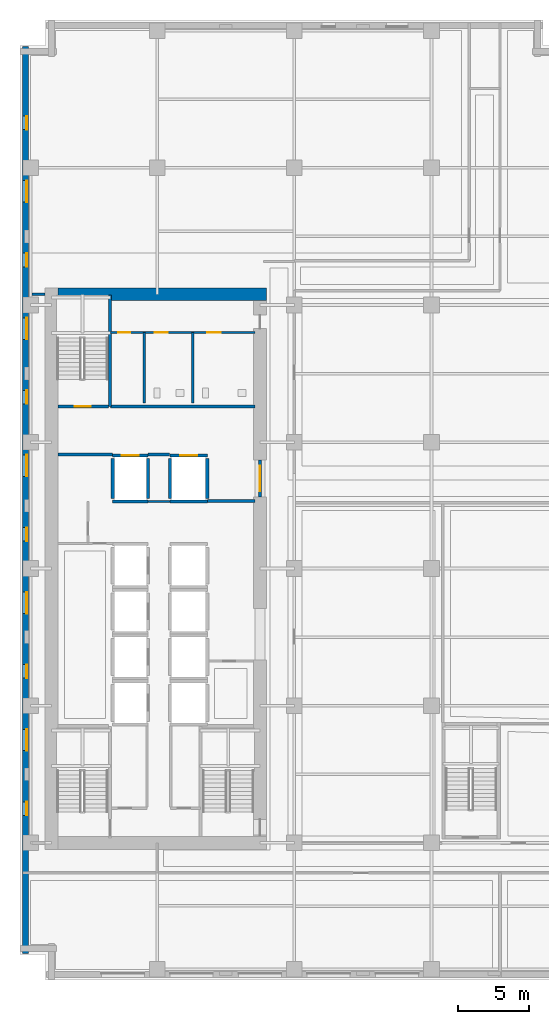
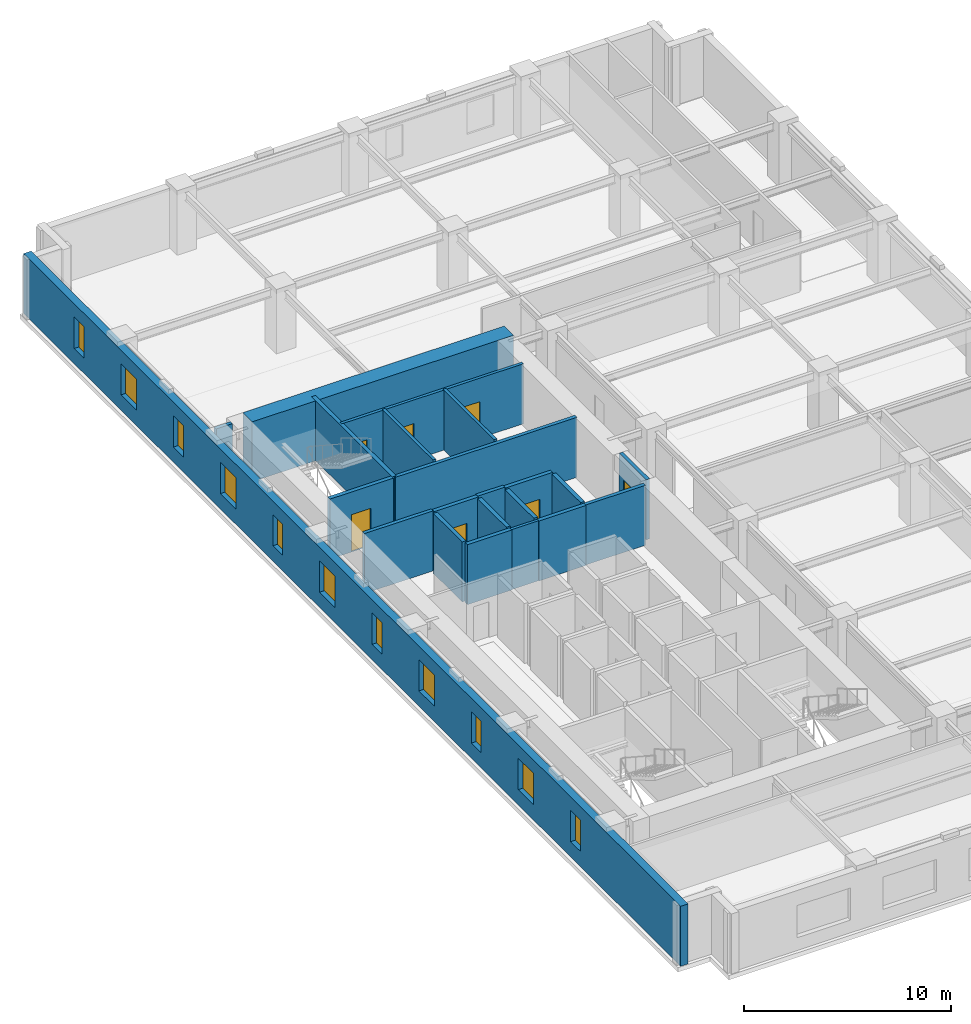
# One storey, part 6 of 13: 22 walls, 11 windows, 7 doors, 18 openings.
"""IFC4 building model written with IfcOpenShell, lengths in metres."""

from ifc_helpers import new_model, si_unit, direction, frame, frame_2d, origin, place, context, subcontext, project, spatial, rectangle, extrude, material, layer, layer_set, type_object, element, fill, save


model = new_model("IFC4")

# Units and contexts
model_context = context("Model", 3, precision=1e-05, world=origin(), true_north=direction((0.0, 1.0)))
body_context = subcontext(model_context, "Body", "Model", "MODEL_VIEW")
ifc_project = project(units=[si_unit("LENGTHUNIT", "METRE"), si_unit("AREAUNIT", "SQUARE_METRE"), si_unit("VOLUMEUNIT", "CUBIC_METRE"), si_unit("PLANEANGLEUNIT", "RADIAN"), si_unit("MASSUNIT", "GRAM", prefix="KILO")], contexts=[model_context])

# Site, building, storey
site_placement = place(None, origin())
site = spatial("IfcSite", under=ifc_project, at=site_placement, CompositionType="ELEMENT")
building_placement = place(site_placement, origin())
building = spatial("IfcBuilding", under=site, at=building_placement, Name="Norrvale University Quadrangle", CompositionType="ELEMENT")
storey_placement = place(building_placement, frame((0.0, 0.0, 85.0)))
storey = spatial("IfcBuildingStorey", under=building, at=storey_placement, Name="L21", CompositionType="ELEMENT", Elevation=85.0)

# Wall, openings, windows
ifc_material_1 = material(Name="Buff Norman Clay Brick Masonry", Category="masonry")
ifc_layer_1 = layer(ifc_material_1, 0.419921875, Name="Buff Norman Clay Brick Masonry")
ifc_layer_set_1 = layer_set([ifc_layer_1], Name="Buff Norman Clay Brick Masonry")
wall_type_1 = type_object("IfcWallType", Name="Wall Buff Brick 420", PredefinedType="SOLIDWALL", material=ifc_layer_set_1)
wall_1_placement = place(storey_placement, frame((0.389892578125, 65.360107421875, 0.0), z_axis=(0.0, 0.0, 1.0), x_axis=(0.0, -1.0, 0.0)))
wall_1 = element("IfcWall", 1, at=wall_1_placement, inside=storey, type_object=wall_type_1, Name="Exterior Brick Facade Wall L21-14.1", PredefinedType="SOLIDWALL", context=body_context, shape_type="SweptSolid", body=[
    extrude(rectangle(XDim=63.52001953125, YDim=0.419921875, at=frame_2d((31.760009765625, 0.0))), origin(), (0.0, 0.0, 1.0), 3.5400390625),
])
opening_1_placement = place(wall_1_placement, frame((4.885009765625, 0.0, 0.89990234375)))
opening_1 = element("IfcOpeningElement", 2, at=opening_1_placement, cuts=wall_1, Name="Opening W04", PredefinedType="OPENING", context=body_context, shape_type="SweptSolid", body=[
    extrude(rectangle(XDim=0.949951171875, YDim=1.85009765625, at=frame_2d((0.47509765625, 0.925048828125))), frame((0.0, 0.221923828125, 0.0), z_axis=(0.0, -1.0, 0.0), x_axis=(1.0, 0.0, 0.0)), (0.0, 0.0, 1.0), 0.44384765625),
])
opening_2_placement = place(wall_1_placement, frame((9.409912109375, 0.0, 0.89990234375)))
opening_2 = element("IfcOpeningElement", 3, at=opening_2_placement, cuts=wall_1, Name="Opening W03", PredefinedType="OPENING", context=body_context, shape_type="SweptSolid", body=[
    extrude(rectangle(XDim=1.5, YDim=1.85009765625, at=frame_2d((0.75, 0.925048828125))), frame((0.0, 0.221923828125, 0.0), z_axis=(0.0, -1.0, 0.0), x_axis=(1.0, 0.0, 0.0)), (0.0, 0.0, 1.0), 0.44384765625),
])
opening_3_placement = place(wall_1_placement, frame((14.485107421875, 0.0, 0.89990234375)))
opening_3 = element("IfcOpeningElement", 4, at=opening_3_placement, cuts=wall_1, Name="Opening W04", PredefinedType="OPENING", context=body_context, shape_type="SweptSolid", body=[
    extrude(rectangle(XDim=0.949951171875, YDim=1.85009765625, at=frame_2d((0.47509765625, 0.925048828125))), frame((0.0, 0.221923828125, 0.0), z_axis=(0.0, -1.0, 0.0), x_axis=(1.0, 0.0, 0.0)), (0.0, 0.0, 1.0), 0.44384765625),
])
opening_4_placement = place(wall_1_placement, frame((19.010009765625, 0.0, 0.89990234375)))
opening_4 = element("IfcOpeningElement", 5, at=opening_4_placement, cuts=wall_1, Name="Opening W03", PredefinedType="OPENING", context=body_context, shape_type="SweptSolid", body=[
    extrude(rectangle(XDim=1.5, YDim=1.85009765625, at=frame_2d((0.75, 0.925048828125))), frame((0.0, 0.221923828125, 0.0), z_axis=(0.0, -1.0, 0.0), x_axis=(1.0, 0.0, 0.0)), (0.0, 0.0, 1.0), 0.44384765625),
])
opening_5_placement = place(wall_1_placement, frame((24.0849609375, 0.0, 0.89990234375)))
opening_5 = element("IfcOpeningElement", 6, at=opening_5_placement, cuts=wall_1, Name="Opening W04", PredefinedType="OPENING", context=body_context, shape_type="SweptSolid", body=[
    extrude(rectangle(XDim=0.949951171875, YDim=1.85009765625, at=frame_2d((0.47509765625, 0.925048828125))), frame((0.0, 0.221923828125, 0.0), z_axis=(0.0, -1.0, 0.0), x_axis=(1.0, 0.0, 0.0)), (0.0, 0.0, 1.0), 0.44384765625),
])
opening_6_placement = place(wall_1_placement, frame((28.610107421875, 0.0, 0.89990234375)))
opening_6 = element("IfcOpeningElement", 7, at=opening_6_placement, cuts=wall_1, Name="Opening W03", PredefinedType="OPENING", context=body_context, shape_type="SweptSolid", body=[
    extrude(rectangle(XDim=1.5, YDim=1.85009765625, at=frame_2d((0.75, 0.925048828125))), frame((0.0, 0.221923828125, 0.0), z_axis=(0.0, -1.0, 0.0), x_axis=(1.0, 0.0, 0.0)), (0.0, 0.0, 1.0), 0.44384765625),
])
opening_7_placement = place(wall_1_placement, frame((33.68505859375, 0.0, 0.89990234375)))
opening_7 = element("IfcOpeningElement", 8, at=opening_7_placement, cuts=wall_1, Name="Opening W04", PredefinedType="OPENING", context=body_context, shape_type="SweptSolid", body=[
    extrude(rectangle(XDim=0.949951171875, YDim=1.85009765625, at=frame_2d((0.47509765625, 0.925048828125))), frame((0.0, 0.221923828125, 0.0), z_axis=(0.0, -1.0, 0.0), x_axis=(1.0, 0.0, 0.0)), (0.0, 0.0, 1.0), 0.44384765625),
])
opening_8_placement = place(wall_1_placement, frame((38.2099609375, 0.0, 0.89990234375)))
opening_8 = element("IfcOpeningElement", 9, at=opening_8_placement, cuts=wall_1, Name="Opening W03", PredefinedType="OPENING", context=body_context, shape_type="SweptSolid", body=[
    extrude(rectangle(XDim=1.5, YDim=1.85009765625, at=frame_2d((0.75, 0.925048828125))), frame((0.0, 0.221923828125, 0.0), z_axis=(0.0, -1.0, 0.0), x_axis=(1.0, 0.0, 0.0)), (0.0, 0.0, 1.0), 0.44384765625),
])
opening_9_placement = place(wall_1_placement, frame((43.284912109375, 0.0, 0.89990234375)))
opening_9 = element("IfcOpeningElement", 10, at=opening_9_placement, cuts=wall_1, Name="Opening W04", PredefinedType="OPENING", context=body_context, shape_type="SweptSolid", body=[
    extrude(rectangle(XDim=0.949951171875, YDim=1.85009765625, at=frame_2d((0.47509765625, 0.925048828125))), frame((0.0, 0.221923828125, 0.0), z_axis=(0.0, -1.0, 0.0), x_axis=(1.0, 0.0, 0.0)), (0.0, 0.0, 1.0), 0.44384765625),
])
opening_10_placement = place(wall_1_placement, frame((47.81005859375, 0.0, 0.89990234375)))
opening_10 = element("IfcOpeningElement", 11, at=opening_10_placement, cuts=wall_1, Name="Opening W03", PredefinedType="OPENING", context=body_context, shape_type="SweptSolid", body=[
    extrude(rectangle(XDim=1.5, YDim=1.85009765625, at=frame_2d((0.75, 0.925048828125))), frame((0.0, 0.221923828125, 0.0), z_axis=(0.0, -1.0, 0.0), x_axis=(1.0, 0.0, 0.0)), (0.0, 0.0, 1.0), 0.44384765625),
])
opening_11_placement = place(wall_1_placement, frame((52.885009765625, 0.0, 0.89990234375)))
opening_11 = element("IfcOpeningElement", 12, at=opening_11_placement, cuts=wall_1, Name="Opening W04", PredefinedType="OPENING", context=body_context, shape_type="SweptSolid", body=[
    extrude(rectangle(XDim=0.949951171875, YDim=1.85009765625, at=frame_2d((0.47509765625, 0.925048828125))), frame((0.0, 0.221923828125, 0.0), z_axis=(0.0, -1.0, 0.0), x_axis=(1.0, 0.0, 0.0)), (0.0, 0.0, 1.0), 0.44384765625),
])
ifc_material_2 = material(Name="Triple Low-E Argon Glazing", Category="glass")
window_type_1 = type_object("IfcWindowType", Name="Window Narrow Pier 950x2300", PartitioningType="SINGLE_PANEL", PredefinedType="WINDOW", material=ifc_material_2)
window_1_placement = place(opening_1_placement, origin())
window_1 = element("IfcWindow", 13, at=window_1_placement, inside=storey, type_object=window_type_1, Name="Window Narrow Pier 950x2300 WIN-L21-E14-1-01", OverallHeight=1.85009765625, OverallWidth=0.949951171875, PartitioningType="SINGLE_PANEL", PredefinedType="WINDOW", context=body_context, shape_type="SweptSolid", body=[
    extrude(rectangle(XDim=0.949951171875, YDim=1.85009765625, at=frame_2d((0.47509765625, 0.925048828125))), frame((0.0, 0.110107421875, 0.0), z_axis=(0.0, -1.0, 0.0), x_axis=(1.0, 0.0, 0.0)), (0.0, 0.0, 1.0), 0.06005859375),
])
fill(opening_1, window_1)
window_2_placement = place(opening_3_placement, origin())
window_2 = element("IfcWindow", 14, at=window_2_placement, inside=storey, type_object=window_type_1, Name="Window Narrow Pier 950x2300 WIN-L21-E14-1-03", OverallHeight=1.85009765625, OverallWidth=0.949951171875, PartitioningType="SINGLE_PANEL", PredefinedType="WINDOW", context=body_context, shape_type="SweptSolid", body=[
    extrude(rectangle(XDim=0.949951171875, YDim=1.85009765625, at=frame_2d((0.47509765625, 0.925048828125))), frame((0.0, 0.110107421875, 0.0), z_axis=(0.0, -1.0, 0.0), x_axis=(1.0, 0.0, 0.0)), (0.0, 0.0, 1.0), 0.06005859375),
])
fill(opening_3, window_2)
window_3_placement = place(opening_5_placement, origin())
window_3 = element("IfcWindow", 15, at=window_3_placement, inside=storey, type_object=window_type_1, Name="Window Narrow Pier 950x2300 WIN-L21-E14-1-05", OverallHeight=1.85009765625, OverallWidth=0.949951171875, PartitioningType="SINGLE_PANEL", PredefinedType="WINDOW", context=body_context, shape_type="SweptSolid", body=[
    extrude(rectangle(XDim=0.949951171875, YDim=1.85009765625, at=frame_2d((0.47509765625, 0.925048828125))), frame((0.0, 0.110107421875, 0.0), z_axis=(0.0, -1.0, 0.0), x_axis=(1.0, 0.0, 0.0)), (0.0, 0.0, 1.0), 0.06005859375),
])
fill(opening_5, window_3)
window_4_placement = place(opening_7_placement, origin())
window_4 = element("IfcWindow", 16, at=window_4_placement, inside=storey, type_object=window_type_1, Name="Window Narrow Pier 950x2300 WIN-L21-E14-1-07", OverallHeight=1.85009765625, OverallWidth=0.949951171875, PartitioningType="SINGLE_PANEL", PredefinedType="WINDOW", context=body_context, shape_type="SweptSolid", body=[
    extrude(rectangle(XDim=0.949951171875, YDim=1.85009765625, at=frame_2d((0.47509765625, 0.925048828125))), frame((0.0, 0.110107421875, 0.0), z_axis=(0.0, -1.0, 0.0), x_axis=(1.0, 0.0, 0.0)), (0.0, 0.0, 1.0), 0.06005859375),
])
fill(opening_7, window_4)
window_5_placement = place(opening_9_placement, origin())
window_5 = element("IfcWindow", 17, at=window_5_placement, inside=storey, type_object=window_type_1, Name="Window Narrow Pier 950x2300 WIN-L21-E14-1-09", OverallHeight=1.85009765625, OverallWidth=0.949951171875, PartitioningType="SINGLE_PANEL", PredefinedType="WINDOW", context=body_context, shape_type="SweptSolid", body=[
    extrude(rectangle(XDim=0.949951171875, YDim=1.85009765625, at=frame_2d((0.47509765625, 0.925048828125))), frame((0.0, 0.110107421875, 0.0), z_axis=(0.0, -1.0, 0.0), x_axis=(1.0, 0.0, 0.0)), (0.0, 0.0, 1.0), 0.06005859375),
])
fill(opening_9, window_5)
window_6_placement = place(opening_11_placement, origin())
window_6 = element("IfcWindow", 18, at=window_6_placement, inside=storey, type_object=window_type_1, Name="Window Narrow Pier 950x2300 WIN-L21-E14-1-11", OverallHeight=1.85009765625, OverallWidth=0.949951171875, PartitioningType="SINGLE_PANEL", PredefinedType="WINDOW", context=body_context, shape_type="SweptSolid", body=[
    extrude(rectangle(XDim=0.949951171875, YDim=1.85009765625, at=frame_2d((0.47509765625, 0.925048828125))), frame((0.0, 0.110107421875, 0.0), z_axis=(0.0, -1.0, 0.0), x_axis=(1.0, 0.0, 0.0)), (0.0, 0.0, 1.0), 0.06005859375),
])
fill(opening_11, window_6)
window_type_2 = type_object("IfcWindowType", Name="Window Studio 1500x2300", PartitioningType="DOUBLE_PANEL_VERTICAL", PredefinedType="WINDOW", material=ifc_material_2)
window_7_placement = place(opening_2_placement, origin())
window_7 = element("IfcWindow", 19, at=window_7_placement, inside=storey, type_object=window_type_2, Name="Window Studio 1500x2300 WIN-L21-E14-1-02", OverallHeight=1.85009765625, OverallWidth=1.5, PartitioningType="DOUBLE_PANEL_VERTICAL", PredefinedType="WINDOW", context=body_context, shape_type="SweptSolid", body=[
    extrude(rectangle(XDim=1.5, YDim=1.85009765625, at=frame_2d((0.75, 0.925048828125))), frame((0.0, 0.110107421875, 0.0), z_axis=(0.0, -1.0, 0.0), x_axis=(1.0, 0.0, 0.0)), (0.0, 0.0, 1.0), 0.06005859375),
])
fill(opening_2, window_7)
window_8_placement = place(opening_4_placement, origin())
window_8 = element("IfcWindow", 20, at=window_8_placement, inside=storey, type_object=window_type_2, Name="Window Studio 1500x2300 WIN-L21-E14-1-04", OverallHeight=1.85009765625, OverallWidth=1.5, PartitioningType="DOUBLE_PANEL_VERTICAL", PredefinedType="WINDOW", context=body_context, shape_type="SweptSolid", body=[
    extrude(rectangle(XDim=1.5, YDim=1.85009765625, at=frame_2d((0.75, 0.925048828125))), frame((0.0, 0.110107421875, 0.0), z_axis=(0.0, -1.0, 0.0), x_axis=(1.0, 0.0, 0.0)), (0.0, 0.0, 1.0), 0.06005859375),
])
fill(opening_4, window_8)
window_9_placement = place(opening_6_placement, origin())
window_9 = element("IfcWindow", 21, at=window_9_placement, inside=storey, type_object=window_type_2, Name="Window Studio 1500x2300 WIN-L21-E14-1-06", OverallHeight=1.85009765625, OverallWidth=1.5, PartitioningType="DOUBLE_PANEL_VERTICAL", PredefinedType="WINDOW", context=body_context, shape_type="SweptSolid", body=[
    extrude(rectangle(XDim=1.5, YDim=1.85009765625, at=frame_2d((0.75, 0.925048828125))), frame((0.0, 0.110107421875, 0.0), z_axis=(0.0, -1.0, 0.0), x_axis=(1.0, 0.0, 0.0)), (0.0, 0.0, 1.0), 0.06005859375),
])
fill(opening_6, window_9)
window_10_placement = place(opening_8_placement, origin())
window_10 = element("IfcWindow", 22, at=window_10_placement, inside=storey, type_object=window_type_2, Name="Window Studio 1500x2300 WIN-L21-E14-1-08", OverallHeight=1.85009765625, OverallWidth=1.5, PartitioningType="DOUBLE_PANEL_VERTICAL", PredefinedType="WINDOW", context=body_context, shape_type="SweptSolid", body=[
    extrude(rectangle(XDim=1.5, YDim=1.85009765625, at=frame_2d((0.75, 0.925048828125))), frame((0.0, 0.110107421875, 0.0), z_axis=(0.0, -1.0, 0.0), x_axis=(1.0, 0.0, 0.0)), (0.0, 0.0, 1.0), 0.06005859375),
])
fill(opening_8, window_10)
window_11_placement = place(opening_10_placement, origin())
window_11 = element("IfcWindow", 23, at=window_11_placement, inside=storey, type_object=window_type_2, Name="Window Studio 1500x2300 WIN-L21-E14-1-10", OverallHeight=1.85009765625, OverallWidth=1.5, PartitioningType="DOUBLE_PANEL_VERTICAL", PredefinedType="WINDOW", context=body_context, shape_type="SweptSolid", body=[
    extrude(rectangle(XDim=1.5, YDim=1.85009765625, at=frame_2d((0.75, 0.925048828125))), frame((0.0, 0.110107421875, 0.0), z_axis=(0.0, -1.0, 0.0), x_axis=(1.0, 0.0, 0.0)), (0.0, 0.0, 1.0), 0.06005859375),
])
fill(opening_10, window_11)

# Walls
ifc_material_3 = material(Name="Concrete C80/95", Category="concrete")
ifc_layer_2 = layer(ifc_material_3, 0.89990234375, Name="Concrete C80/95")
ifc_layer_set_2 = layer_set([ifc_layer_2], Name="Concrete C80/95")
wall_type_2 = type_object("IfcWallType", Name="Wall Core 900", PredefinedType="SHEAR", material=ifc_layer_set_2)
wall_2_placement = place(storey_placement, frame((2.64990234375, 48.0, 0.0), z_axis=(0.0, 0.0, 1.0), x_axis=(1.0, 0.0, 0.0)))
element("IfcWall", 24, at=wall_2_placement, inside=storey, type_object=wall_type_2, Name="Tower Core Shear Wall L21-N", PredefinedType="SHEAR", context=body_context, shape_type="SweptSolid", body=[
    extrude(rectangle(XDim=14.60009765625, YDim=0.89990234375, at=frame_2d((7.300048828125, 0.0))), origin(), (0.0, 0.0, 1.0), 3.5400390625),
])
ifc_material_4 = material(Name="Fire-Rated Gypsum Stud Partition")
ifc_layer_3 = layer(ifc_material_4, 0.14990234375, Name="Fire-Rated Gypsum Stud Partition")
ifc_layer_set_3 = layer_set([ifc_layer_3], Name="Fire-Rated Gypsum Stud Partition")
wall_type_3 = type_object("IfcWallType", Name="Wall Gypsum Corridor 150", PredefinedType="PARTITIONING", material=ifc_layer_set_3)
wall_3_placement = place(storey_placement, frame((8.965087890625, 33.489990234375, 0.0), z_axis=(0.0, 0.0, 1.0), x_axis=(1.0, 0.0, 0.0)))
element("IfcWall", 25, at=wall_3_placement, inside=storey, type_object=wall_type_3, Name="Interior Partition WL-L21-LL3", PredefinedType="PARTITIONING", context=body_context, shape_type="SweptSolid", body=[
    extrude(rectangle(XDim=1.52001953125, YDim=0.14990234375, at=frame_2d((0.760009765625, 0.0))), origin(), (0.0, 0.0, 1.0), 3.5400390625),
])

# Wall, openings, doors
ifc_material_5 = material(Name="Sanitary Chase Gypsum Partition")
ifc_layer_4 = layer(ifc_material_5, 0.1650390625, Name="Sanitary Chase Gypsum Partition")
ifc_layer_set_4 = layer_set([ifc_layer_4], Name="Sanitary Chase Gypsum Partition")
wall_type_4 = type_object("IfcWallType", Name="Wall Gypsum Sanitary 165", PredefinedType="PLUMBINGWALL", material=ifc_layer_set_4)
wall_4_placement = place(storey_placement, frame((6.320068359375, 45.320068359375, 0.0), z_axis=(0.0, 0.0, 1.0), x_axis=(1.0, 0.0, 0.0)))
wall_4 = element("IfcWall", 26, at=wall_4_placement, inside=storey, type_object=wall_type_4, Name="Interior Partition WL-L21-WCN", PredefinedType="PLUMBINGWALL", context=body_context, shape_type="SweptSolid", body=[
    extrude(rectangle(XDim=10.1298828125, YDim=0.1650390625, at=frame_2d((5.06494140625, 0.0))), origin(), (0.0, 0.0, 1.0), 3.5400390625),
])
opening_12_placement = place(wall_4_placement, frame((0.550048828125, 0.0, 0.0)))
opening_12 = element("IfcOpeningElement", 27, at=opening_12_placement, cuts=wall_4, Name="Opening D10", PredefinedType="OPENING", context=body_context, shape_type="SweptSolid", body=[
    extrude(rectangle(XDim=0.85009765625, YDim=2.10009765625, at=frame_2d((0.425048828125, 1.050048828125))), frame((0.0, 0.094482421875, 0.0), z_axis=(0.0, -1.0, 0.0), x_axis=(1.0, 0.0, 0.0)), (0.0, 0.0, 1.0), 0.18896484375),
])
opening_13_placement = place(wall_4_placement, frame((3.10009765625, 0.0, 0.0)))
opening_13 = element("IfcOpeningElement", 28, at=opening_13_placement, cuts=wall_4, Name="Opening D08", PredefinedType="OPENING", context=body_context, shape_type="SweptSolid", body=[
    extrude(rectangle(XDim=0.919921875, YDim=2.14990234375, at=frame_2d((0.4599609375, 1.074951171875))), frame((0.0, 0.094482421875, 0.0), z_axis=(0.0, -1.0, 0.0), x_axis=(1.0, 0.0, 0.0)), (0.0, 0.0, 1.0), 0.18896484375),
])
opening_14_placement = place(wall_4_placement, frame((6.800048828125, 0.0, 0.0)))
opening_14 = element("IfcOpeningElement", 29, at=opening_14_placement, cuts=wall_4, Name="Opening D08", PredefinedType="OPENING", context=body_context, shape_type="SweptSolid", body=[
    extrude(rectangle(XDim=0.919921875, YDim=2.14990234375, at=frame_2d((0.4599609375, 1.074951171875))), frame((0.0, 0.094482421875, 0.0), z_axis=(0.0, -1.0, 0.0), x_axis=(1.0, 0.0, 0.0)), (0.0, 0.0, 1.0), 0.18896484375),
])
ifc_material_6 = material(Name="Hollow Steel 350W Riser Fire Door", Category="steel")
door_type_1 = type_object("IfcDoorType", Name="Door Riser 850x2100", OperationType="NOTDEFINED", PredefinedType="DOOR", material=ifc_material_6)
door_1_placement = place(opening_12_placement, origin())
door_1 = element("IfcDoor", 30, at=door_1_placement, inside=storey, type_object=door_type_1, Name="Door Riser 850x2100 DR-L21-WC1", OperationType="SINGLE_SWING_LEFT", OverallHeight=2.10009765625, OverallWidth=0.85009765625, PredefinedType="DOOR", context=body_context, shape_type="SweptSolid", body=[
    extrude(rectangle(XDim=0.85009765625, YDim=2.10009765625, at=frame_2d((0.425048828125, 1.050048828125))), frame((0.0, 0.02490234375, 0.0), z_axis=(0.0, -1.0, 0.0), x_axis=(1.0, 0.0, 0.0)), (0.0, 0.0, 1.0), 0.050048828125),
])
fill(opening_12, door_1)
ifc_material_7 = material(Name="Laminate Washroom Door", Category="wood")
door_type_2 = type_object("IfcDoorType", Name="Door Washroom 920x2150", OperationType="NOTDEFINED", PredefinedType="DOOR", material=ifc_material_7)
door_2_placement = place(opening_13_placement, origin())
door_2 = element("IfcDoor", 31, at=door_2_placement, inside=storey, type_object=door_type_2, Name="Door Washroom 920x2150 DR-L21-WC2", OperationType="SINGLE_SWING_RIGHT", OverallHeight=2.14990234375, OverallWidth=0.919921875, PredefinedType="DOOR", context=body_context, shape_type="SweptSolid", body=[
    extrude(rectangle(XDim=0.919921875, YDim=2.14990234375, at=frame_2d((0.4599609375, 1.074951171875))), frame((0.0, 0.02490234375, 0.0), z_axis=(0.0, -1.0, 0.0), x_axis=(1.0, 0.0, 0.0)), (0.0, 0.0, 1.0), 0.050048828125),
])
fill(opening_13, door_2)
door_3_placement = place(opening_14_placement, origin())
door_3 = element("IfcDoor", 32, at=door_3_placement, inside=storey, type_object=door_type_2, Name="Door Washroom 920x2150 DR-L21-WC3", OperationType="SINGLE_SWING_LEFT", OverallHeight=2.14990234375, OverallWidth=0.919921875, PredefinedType="DOOR", context=body_context, shape_type="SweptSolid", body=[
    extrude(rectangle(XDim=0.919921875, YDim=2.14990234375, at=frame_2d((0.4599609375, 1.074951171875))), frame((0.0, 0.02490234375, 0.0), z_axis=(0.0, -1.0, 0.0), x_axis=(1.0, 0.0, 0.0)), (0.0, 0.0, 1.0), 0.050048828125),
])
fill(opening_14, door_3)

# Walls
for number, where, z_axis, x_axis, name in (
    (33, (8.699951171875, 40.39990234375, 0.0), (0.0, 0.0, 1.0), (0.0, 1.0, 0.0), "Interior Partition WL-L21-WCM1"),
    (34, (12.10009765625, 40.39990234375, 0.0), (0.0, 0.0, 1.0), (0.0, 1.0, 0.0), "Interior Partition WL-L21-WCM2"),
):
    element("IfcWall", number, at=place(storey_placement, frame(where, z_axis=z_axis, x_axis=x_axis)), inside=storey, type_object=wall_type_4, Name=name, PredefinedType="PLUMBINGWALL", context=body_context, shape_type="SweptSolid", body=[
        extrude(rectangle(XDim=4.920166015625, YDim=0.1650390625, at=frame_2d((2.4599609375, 0.0))), origin(), (0.0, 0.0, 1.0), 3.5400390625),
    ])
ifc_material_8 = material(Name="Concrete Blockwork 20 MPa Rated Wall", Category="masonry")
ifc_layer_5 = layer(ifc_material_8, 0.199951171875, Name="Concrete Blockwork 20 MPa Rated Wall")
ifc_layer_set_5 = layer_set([ifc_layer_5], Name="Concrete Blockwork 20 MPa Rated Wall")
wall_type_5 = type_object("IfcWallType", Name="Wall Lobby 200", PredefinedType="SOLIDWALL", material=ifc_layer_set_5)
wall_5_placement = place(storey_placement, frame((2.64990234375, 36.780029296875, 0.0), z_axis=(0.0, 0.0, 1.0), x_axis=(1.0, 0.0, 0.0)))
element("IfcWall", 35, at=wall_5_placement, inside=storey, type_object=wall_type_5, Name="Interior Partition WL-L21-FF1", PredefinedType="SOLIDWALL", context=body_context, shape_type="SweptSolid", body=[
    extrude(rectangle(XDim=3.830078125, YDim=0.199951171875, at=frame_2d((1.9150390625, 0.0))), origin(), (0.0, 0.0, 1.0), 3.5400390625),
])
wall_6_placement = place(storey_placement, frame((8.969970703125, 36.780029296875, 0.0), z_axis=(0.0, 0.0, 1.0), x_axis=(1.0, 0.0, 0.0)))
element("IfcWall", 36, at=wall_6_placement, inside=storey, type_object=wall_type_5, Name="Interior Partition WL-L21-FF2", PredefinedType="SOLIDWALL", context=body_context, shape_type="SweptSolid", body=[
    extrude(rectangle(XDim=1.510009765625, YDim=0.199951171875, at=frame_2d((0.7548828125, 0.0))), origin(), (0.0, 0.0, 1.0), 3.5400390625),
])
wall_7_placement = place(storey_placement, frame((13.1201171875, 33.52001953125, 0.0), z_axis=(0.0, 0.0, 1.0), x_axis=(1.0, 0.0, 0.0)))
element("IfcWall", 37, at=wall_7_placement, inside=storey, type_object=wall_type_5, Name="Interior Partition WL-L21-FF3", PredefinedType="SOLIDWALL", context=body_context, shape_type="SweptSolid", body=[
    extrude(rectangle(XDim=3.329833984375, YDim=0.199951171875, at=frame_2d((1.6650390625, 0.0))), origin(), (0.0, 0.0, 1.0), 3.5400390625),
])
wall_8_placement = place(storey_placement, frame((6.320068359375, 40.139892578125, 0.0), z_axis=(0.0, 0.0, 1.0), x_axis=(1.0, 0.0, 0.0)))
element("IfcWall", 38, at=wall_8_placement, inside=storey, type_object=wall_type_5, Name="Interior Partition WL-L21-FF4", PredefinedType="SOLIDWALL", context=body_context, shape_type="SweptSolid", body=[
    extrude(rectangle(XDim=10.1298828125, YDim=0.199951171875, at=frame_2d((5.06494140625, 0.0))), origin(), (0.0, 0.0, 1.0), 3.5400390625),
])

# Wall, opening, door
wall_9_placement = place(storey_placement, frame((16.800048828125, 33.800048828125, 0.0), z_axis=(0.0, 0.0, 1.0), x_axis=(0.0, 1.0, 0.0)))
wall_9 = element("IfcWall", 39, at=wall_9_placement, inside=storey, type_object=wall_type_5, Name="Interior Partition WL-L21-FFP", PredefinedType="SOLIDWALL", context=body_context, shape_type="SweptSolid", body=[
    extrude(rectangle(XDim=2.599853515625, YDim=0.199951171875, at=frame_2d((1.2998046875, 0.0))), origin(), (0.0, 0.0, 1.0), 3.5400390625),
])
opening_15_placement = place(wall_9_placement, frame((0.39990234375, 0.0, 0.0)))
opening_15 = element("IfcOpeningElement", 40, at=opening_15_placement, cuts=wall_9, Name="Opening D03", PredefinedType="OPENING", context=body_context, shape_type="SweptSolid", body=[
    extrude(rectangle(XDim=1.800048828125, YDim=2.199951171875, at=frame_2d((0.89990234375, 1.10009765625))), frame((0.0, 0.112060546875, 0.0), z_axis=(0.0, -1.0, 0.0), x_axis=(1.0, 0.0, 0.0)), (0.0, 0.0, 1.0), 0.223876953125),
])
ifc_material_9 = material(Name="Hollow Steel 350W Fire Door", Category="steel")
door_type_3 = type_object("IfcDoorType", Name="Door Fire Lobby 1800x2200", OperationType="DOUBLE_DOOR_SINGLE_SWING", PredefinedType="DOOR", material=ifc_material_9)
door_4_placement = place(opening_15_placement, origin())
door_4 = element("IfcDoor", 41, at=door_4_placement, inside=storey, type_object=door_type_3, Name="Door Fire Lobby 1800x2200 DR-L21-FFP", OperationType="DOUBLE_DOOR_SINGLE_SWING", OverallHeight=2.199951171875, OverallWidth=1.800048828125, PredefinedType="DOOR", context=body_context, shape_type="SweptSolid", body=[
    extrude(rectangle(XDim=1.800048828125, YDim=2.199951171875, at=frame_2d((0.89990234375, 1.10009765625))), frame((0.0, 0.02490234375, 0.0), z_axis=(0.0, -1.0, 0.0), x_axis=(1.0, 0.0, 0.0)), (0.0, 0.0, 1.0), 0.050048828125),
])
fill(opening_15, door_4)

# Wall
wall_10_placement = place(storey_placement, frame((0.85009765625, 48.0, 0.0), z_axis=(0.0, 0.0, 1.0), x_axis=(1.0, 0.0, 0.0)))
element("IfcWall", 42, at=wall_10_placement, inside=storey, type_object=wall_type_5, Name="Interior Partition WL-L21-CWRET-N", PredefinedType="SOLIDWALL", context=body_context, shape_type="SweptSolid", body=[
    extrude(rectangle(XDim=0.89501953125, YDim=0.199951171875, at=frame_2d((0.447509765625, 0.0))), origin(), (0.0, 0.0, 1.0), 3.5400390625),
])

# Wall, opening, door
ifc_material_10 = material(Name="Concrete Blockwork 20 MPa Fire Shaft", Category="masonry")
ifc_layer_6 = layer(ifc_material_10, 0.219970703125, Name="Concrete Blockwork 20 MPa Fire Shaft")
ifc_layer_set_6 = layer_set([ifc_layer_6], Name="Concrete Blockwork 20 MPa Fire Shaft")
wall_type_6 = type_object("IfcWallType", Name="Wall Shaft 220", PredefinedType="SOLIDWALL", material=ifc_layer_set_6)
wall_11_placement = place(storey_placement, frame((2.64990234375, 40.139892578125, 0.0), z_axis=(0.0, 0.0, 1.0), x_axis=(1.0, 0.0, 0.0)))
wall_11 = element("IfcWall", 43, at=wall_11_placement, inside=storey, type_object=wall_type_6, Name="Stair ST-02 South Shaft Wall L21", PredefinedType="SOLIDWALL", context=body_context, shape_type="SweptSolid", body=[
    extrude(rectangle(XDim=3.550048828125, YDim=0.219970703125, at=frame_2d((1.77490234375, 0.0))), origin(), (0.0, 0.0, 1.0), 3.5400390625),
])
opening_16_placement = place(wall_11_placement, frame((1.199951171875, 0.0, 0.0)))
opening_16 = element("IfcOpeningElement", 44, at=opening_16_placement, cuts=wall_11, Name="Opening D02", PredefinedType="OPENING", context=body_context, shape_type="SweptSolid", body=[
    extrude(rectangle(XDim=1.10009765625, YDim=2.199951171875, at=frame_2d((0.550048828125, 1.10009765625))), frame((0.0, 0.1220703125, 0.0), z_axis=(0.0, -1.0, 0.0), x_axis=(1.0, 0.0, 0.0)), (0.0, 0.0, 1.0), 0.243896484375),
])
door_type_4 = type_object("IfcDoorType", Name="Door Stair Exit 1100x2200", OperationType="NOTDEFINED", PredefinedType="DOOR", material=ifc_material_9)
door_5_placement = place(opening_16_placement, origin())
door_5 = element("IfcDoor", 45, at=door_5_placement, inside=storey, type_object=door_type_4, Name="Door Stair Exit 1100x2200 DR-L21-ST02", OperationType="SINGLE_SWING_LEFT", OverallHeight=2.199951171875, OverallWidth=1.10009765625, PredefinedType="DOOR", context=body_context, shape_type="SweptSolid", body=[
    extrude(rectangle(XDim=1.10009765625, YDim=2.199951171875, at=frame_2d((0.550048828125, 1.10009765625))), frame((0.0, 0.02490234375, 0.0), z_axis=(0.0, -1.0, 0.0), x_axis=(1.0, 0.0, 0.0)), (0.0, 0.0, 1.0), 0.050048828125),
])
fill(opening_16, door_5)

# Walls
wall_12_placement = place(storey_placement, frame((6.31005859375, 40.139892578125, 0.0), z_axis=(0.0, 0.0, 1.0), x_axis=(0.0, 1.0, 0.0)))
element("IfcWall", 46, at=wall_12_placement, inside=storey, type_object=wall_type_6, Name="Stair ST-02 East Shaft Wall L21", PredefinedType="SOLIDWALL", context=body_context, shape_type="SweptSolid", body=[
    extrude(rectangle(XDim=7.81005859375, YDim=0.219970703125, at=frame_2d((3.905029296875, 0.0))), origin(), (0.0, 0.0, 1.0), 3.5400390625),
])
for number, where, z_axis, x_axis, name in (
    (47, (6.489990234375, 33.7099609375, 0.0), (0.0, 0.0, 1.0), (0.0, 1.0, 0.0), "Hoistway FFL-01 West Wall L21"),
    (48, (8.9599609375, 33.7099609375, 0.0), (0.0, 0.0, 1.0), (0.0, 1.0, 0.0), "Hoistway FFL-01 East Wall L21"),
):
    element("IfcWall", number, at=place(storey_placement, frame(where, z_axis=z_axis, x_axis=x_axis)), inside=storey, type_object=wall_type_6, Name=name, PredefinedType="SOLIDWALL", context=body_context, shape_type="SweptSolid", body=[
        extrude(rectangle(XDim=2.780029296875, YDim=0.219970703125, at=frame_2d((1.39013671875, 0.0))), origin(), (0.0, 0.0, 1.0), 3.5400390625),
    ])
wall_13_placement = place(storey_placement, frame((6.489990234375, 33.489990234375, 0.0), z_axis=(0.0, 0.0, 1.0), x_axis=(1.0, 0.0, 0.0)))
element("IfcWall", 49, at=wall_13_placement, inside=storey, type_object=wall_type_6, Name="Hoistway FFL-01 South Wall L21", PredefinedType="SOLIDWALL", context=body_context, shape_type="SweptSolid", body=[
    extrude(rectangle(XDim=2.469970703125, YDim=0.219970703125, at=frame_2d((1.23486328125, 0.0))), origin(), (0.0, 0.0, 1.0), 3.5400390625),
])

# Wall, opening, door
wall_14_placement = place(storey_placement, frame((6.489990234375, 36.7099609375, 0.0), z_axis=(0.0, 0.0, 1.0), x_axis=(1.0, 0.0, 0.0)))
wall_14 = element("IfcWall", 50, at=wall_14_placement, inside=storey, type_object=wall_type_6, Name="Hoistway FFL-01 North Wall L21", PredefinedType="SOLIDWALL", context=body_context, shape_type="SweptSolid", body=[
    extrude(rectangle(XDim=2.469970703125, YDim=0.219970703125, at=frame_2d((1.23486328125, 0.0))), origin(), (0.0, 0.0, 1.0), 3.5400390625),
])
opening_17_placement = place(wall_14_placement, frame((0.635009765625, 0.0, 0.0)))
opening_17 = element("IfcOpeningElement", 51, at=opening_17_placement, cuts=wall_14, Name="Opening LD2", PredefinedType="OPENING", context=body_context, shape_type="SweptSolid", body=[
    extrude(rectangle(XDim=1.199951171875, YDim=2.199951171875, at=frame_2d((0.60009765625, 1.10009765625))), frame((0.0, 0.1220703125, 0.0), z_axis=(0.0, -1.0, 0.0), x_axis=(1.0, 0.0, 0.0)), (0.0, 0.0, 1.0), 0.243896484375),
])
ifc_material_11 = material(Name="Stainless Steel 316L Firefighter Lift Door", Category="steel")
door_type_5 = type_object("IfcDoorType", Name="Door Fire Lift 1200x2200", OperationType="DOUBLE_DOOR_SLIDING", PredefinedType="DOOR", material=ifc_material_11)
door_6_placement = place(opening_17_placement, origin())
door_6 = element("IfcDoor", 52, at=door_6_placement, inside=storey, type_object=door_type_5, Name="Elevator Landing Door DR-L21-FFL-01", OperationType="DOUBLE_DOOR_SLIDING", OverallHeight=2.199951171875, OverallWidth=1.199951171875, PredefinedType="DOOR", context=body_context, shape_type="SweptSolid", body=[
    extrude(rectangle(XDim=1.199951171875, YDim=2.199951171875, at=frame_2d((0.60009765625, 1.10009765625))), frame((0.0, 0.02490234375, 0.0), z_axis=(0.0, -1.0, 0.0), x_axis=(1.0, 0.0, 0.0)), (0.0, 0.0, 1.0), 0.050048828125),
])
fill(opening_17, door_6)

# Walls
for number, where, z_axis, x_axis, name in (
    (53, (10.489990234375, 33.7099609375, 0.0), (0.0, 0.0, 1.0), (0.0, 1.0, 0.0), "Hoistway FFL-02 West Wall L21"),
    (54, (13.110107421875, 33.7099609375, 0.0), (0.0, 0.0, 1.0), (0.0, 1.0, 0.0), "Hoistway FFL-02 East Wall L21"),
):
    element("IfcWall", number, at=place(storey_placement, frame(where, z_axis=z_axis, x_axis=x_axis)), inside=storey, type_object=wall_type_6, Name=name, PredefinedType="SOLIDWALL", context=body_context, shape_type="SweptSolid", body=[
        extrude(rectangle(XDim=2.780029296875, YDim=0.219970703125, at=frame_2d((1.39013671875, 0.0))), origin(), (0.0, 0.0, 1.0), 3.5400390625),
    ])
wall_15_placement = place(storey_placement, frame((10.489990234375, 33.489990234375, 0.0), z_axis=(0.0, 0.0, 1.0), x_axis=(1.0, 0.0, 0.0)))
element("IfcWall", 55, at=wall_15_placement, inside=storey, type_object=wall_type_6, Name="Hoistway FFL-02 South Wall L21", PredefinedType="SOLIDWALL", context=body_context, shape_type="SweptSolid", body=[
    extrude(rectangle(XDim=2.6201171875, YDim=0.219970703125, at=frame_2d((1.31005859375, 0.0))), origin(), (0.0, 0.0, 1.0), 3.5400390625),
])

# Wall, opening, door
wall_16_placement = place(storey_placement, frame((10.489990234375, 36.7099609375, 0.0), z_axis=(0.0, 0.0, 1.0), x_axis=(1.0, 0.0, 0.0)))
wall_16 = element("IfcWall", 56, at=wall_16_placement, inside=storey, type_object=wall_type_6, Name="Hoistway FFL-02 North Wall L21", PredefinedType="SOLIDWALL", context=body_context, shape_type="SweptSolid", body=[
    extrude(rectangle(XDim=2.6201171875, YDim=0.219970703125, at=frame_2d((1.31005859375, 0.0))), origin(), (0.0, 0.0, 1.0), 3.5400390625),
])
opening_18_placement = place(wall_16_placement, frame((0.7099609375, 0.0, 0.0)))
opening_18 = element("IfcOpeningElement", 57, at=opening_18_placement, cuts=wall_16, Name="Opening LD2", PredefinedType="OPENING", context=body_context, shape_type="SweptSolid", body=[
    extrude(rectangle(XDim=1.199951171875, YDim=2.199951171875, at=frame_2d((0.60009765625, 1.10009765625))), frame((0.0, 0.1220703125, 0.0), z_axis=(0.0, -1.0, 0.0), x_axis=(1.0, 0.0, 0.0)), (0.0, 0.0, 1.0), 0.243896484375),
])
door_7_placement = place(opening_18_placement, origin())
door_7 = element("IfcDoor", 58, at=door_7_placement, inside=storey, type_object=door_type_5, Name="Elevator Landing Door DR-L21-FFL-02", OperationType="DOUBLE_DOOR_SLIDING", OverallHeight=2.199951171875, OverallWidth=1.199951171875, PredefinedType="DOOR", context=body_context, shape_type="SweptSolid", body=[
    extrude(rectangle(XDim=1.199951171875, YDim=2.199951171875, at=frame_2d((0.60009765625, 1.10009765625))), frame((0.0, 0.02490234375, 0.0), z_axis=(0.0, -1.0, 0.0), x_axis=(1.0, 0.0, 0.0)), (0.0, 0.0, 1.0), 0.050048828125),
])
fill(opening_18, door_7)

save(model, "model.ifc")
